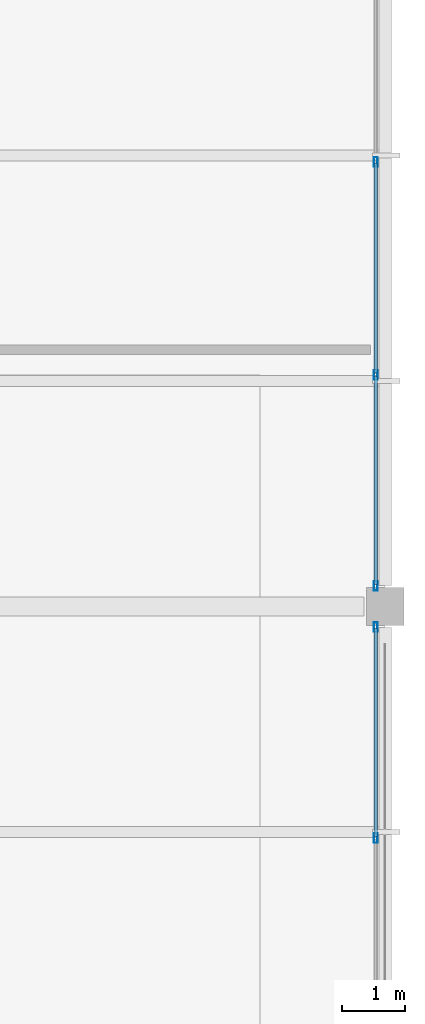
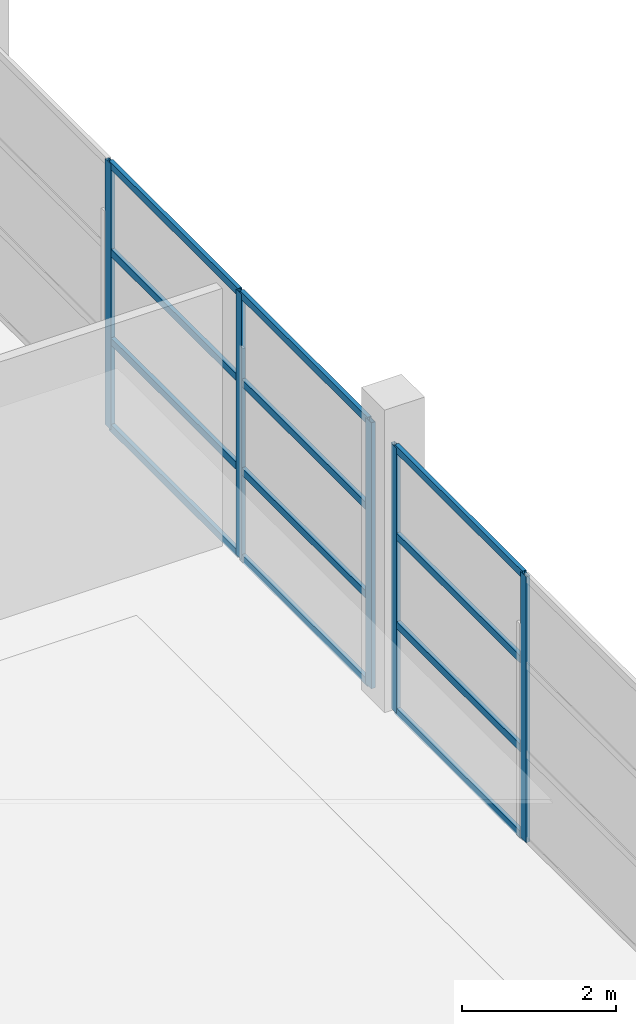
# One storey, part 107 of 134: 17 members, 2 elements without a shape of their own.
"""IFC4 building model written with IfcOpenShell, lengths in metres."""

from ifc_helpers import new_model, si_unit, direction, frame, origin, origin_2d, place, context, subcontext, project, spatial, hollow_rectangle, extrude, material, layer, layer_set, material_profile, profile_set, type_object, element, aggregate, save


model = new_model("IFC4")

# Units and contexts
model_context = context("Model", 3, precision=1e-05, world=origin(), true_north=direction((0.0, 1.0)))
body_context = subcontext(model_context, "Body", "Model", "MODEL_VIEW")
ifc_project = project(units=[si_unit("LENGTHUNIT", "METRE"), si_unit("AREAUNIT", "SQUARE_METRE"), si_unit("VOLUMEUNIT", "CUBIC_METRE"), si_unit("PLANEANGLEUNIT", "RADIAN"), si_unit("MASSUNIT", "GRAM", prefix="KILO")], contexts=[model_context])

# Site, building, storey
site_placement = place(None, origin())
site = spatial("IfcSite", under=ifc_project, at=site_placement, CompositionType="ELEMENT")
building_placement = place(site_placement, origin())
building = spatial("IfcBuilding", under=site, at=building_placement, Name="Tamarisk Ironworks Central Station", CompositionType="ELEMENT")
storey_placement = place(building_placement, frame((0.0, 0.0, 12.60009765625)))
storey = spatial("IfcBuildingStorey", under=building, at=storey_placement, Name="L02", CompositionType="ELEMENT", Elevation=12.60009765625)

# Curtain wall, members
ifc_material = material(Name="Anodized aluminium alloy 6063-T6", Category="aluminium")
ifc_layer = layer(ifc_material, 0.179931640625)
ifc_layer_set = layer_set([ifc_layer], Name="Anodized aluminium alloy 6063-T6")
curtain_wall_type = type_object("IfcCurtainWallType", Name="CW-17", PredefinedType="USERDEFINED", material=ifc_layer_set)
curtain_wall_1_placement = place(storey_placement, origin())
curtain_wall_1 = element("IfcCurtainWall", 1, at=curtain_wall_1_placement, inside=storey, type_object=curtain_wall_type, Name="Operations L02 east facade curtain wall 090", ObjectType="GLAZED CURTAIN WALL", PredefinedType="USERDEFINED")
ifc_material_profile_1 = material_profile(ifc_material, hollow_rectangle(XDim=0.06005859375, YDim=0.14990234375, WallThickness=0.00341796875, at=origin_2d()), Name="ALUM 150x60")
ifc_profile_set_1 = profile_set([ifc_material_profile_1], Name="Anodized aluminium alloy 6063-T6")
member_type_1 = type_object("IfcMemberType", Name="CWM-03", PredefinedType="MULLION", material=ifc_profile_set_1)
member_1_placement = place(storey_placement, frame((179.85009765625, 97.1005859375, 0.0), z_axis=(0.0, 0.0, 1.0), x_axis=(-1.0, 0.0, 0.0)))
member_1 = element("IfcMember", 2, at=member_1_placement, type_object=member_type_1, Name="CW17 mullion 3", PredefinedType="MULLION", context=body_context, shape_type="SweptSolid", body=[
    extrude(hollow_rectangle(XDim=0.06005859375, YDim=0.14990234375, WallThickness=0.00341796875, at=origin_2d()), origin(), (0.0, 0.0, 1.0), 4.219970703125),
])
member_2_placement = place(storey_placement, frame((179.85009765625, 100.471923828125, 0.0), z_axis=(0.0, 0.0, 1.0), x_axis=(-1.0, 0.0, 0.0)))
member_2 = element("IfcMember", 3, at=member_2_placement, type_object=member_type_1, Name="CW17 mullion 4", PredefinedType="MULLION", context=body_context, shape_type="SweptSolid", body=[
    extrude(hollow_rectangle(XDim=0.06005859375, YDim=0.14990234375, WallThickness=0.00341796875, at=origin_2d()), origin(), (0.0, 0.0, 1.0), 4.219970703125),
])

curtain_wall_2_placement = place(storey_placement, origin())
curtain_wall_2 = element("IfcCurtainWall", 4, at=curtain_wall_2_placement, inside=storey, type_object=curtain_wall_type, Name="Operations L02 east facade curtain wall 100", ObjectType="GLAZED CURTAIN WALL", PredefinedType="USERDEFINED")
member_3_placement = place(storey_placement, frame((179.85009765625, 101.1279296875, 0.0), z_axis=(0.0, 0.0, 1.0), x_axis=(-1.0, 0.0, 0.0)))
member_3 = element("IfcMember", 5, at=member_3_placement, type_object=member_type_1, Name="CW17 mullion 1", PredefinedType="MULLION", context=body_context, shape_type="SweptSolid", body=[
    extrude(hollow_rectangle(XDim=0.06005859375, YDim=0.14990234375, WallThickness=0.00341796875, at=origin_2d()), origin(), (0.0, 0.0, 1.0), 4.219970703125),
])
member_4_placement = place(storey_placement, frame((179.85009765625, 104.499267578125, 0.0), z_axis=(0.0, 0.0, 1.0), x_axis=(-1.0, 0.0, 0.0)))
member_4 = element("IfcMember", 6, at=member_4_placement, type_object=member_type_1, Name="CW17 mullion 2", PredefinedType="MULLION", context=body_context, shape_type="SweptSolid", body=[
    extrude(hollow_rectangle(XDim=0.06005859375, YDim=0.14990234375, WallThickness=0.00341796875, at=origin_2d()), origin(), (0.0, 0.0, 1.0), 4.219970703125),
])
member_5_placement = place(storey_placement, frame((179.85009765625, 107.900634765625, 0.0), z_axis=(0.0, 0.0, 1.0), x_axis=(-1.0, 0.0, 0.0)))
member_5 = element("IfcMember", 7, at=member_5_placement, type_object=member_type_1, Name="CW17 mullion 3", PredefinedType="MULLION", context=body_context, shape_type="SweptSolid", body=[
    extrude(hollow_rectangle(XDim=0.06005859375, YDim=0.14990234375, WallThickness=0.00341796875, at=origin_2d()), origin(), (0.0, 0.0, 1.0), 4.219970703125),
])

# Member
ifc_material_profile_2 = material_profile(ifc_material, hollow_rectangle(XDim=0.06005859375, YDim=0.114990234375, WallThickness=0.00341796875, at=origin_2d()), Name="ALUM 115x60")
ifc_profile_set_2 = profile_set([ifc_material_profile_2], Name="Anodized aluminium alloy 6063-T6")
member_type_2 = type_object("IfcMemberType", Name="CWT-03", PredefinedType="USERDEFINED", material=ifc_profile_set_2)
member_6_placement = place(storey_placement, frame((179.85009765625, 97.126708984375, 0.02978515625), z_axis=(0.0, 1.0, 0.0), x_axis=(-1.0, 0.0, 0.0)))
member_6 = element("IfcMember", 8, at=member_6_placement, type_object=member_type_2, Name="CW17 transom 3.1", ObjectType="TRANSOM", PredefinedType="USERDEFINED", context=body_context, shape_type="SweptSolid", body=[
    extrude(hollow_rectangle(XDim=0.06005859375, YDim=0.114990234375, WallThickness=0.00341796875, at=origin_2d()), origin(), (0.0, 0.0, 1.0), 3.3193359375),
])

member_7_placement = place(storey_placement, frame((179.85009765625, 97.126708984375, 1.406494140625), z_axis=(0.0, 1.0, 0.0), x_axis=(-1.0, 0.0, 0.0)))
member_7 = element("IfcMember", 9, at=member_7_placement, type_object=member_type_2, Name="CW17 transom 3.2", ObjectType="TRANSOM", PredefinedType="USERDEFINED", context=body_context, shape_type="SweptSolid", body=[
    extrude(hollow_rectangle(XDim=0.06005859375, YDim=0.114990234375, WallThickness=0.00341796875, at=origin_2d()), origin(), (0.0, 0.0, 1.0), 3.3193359375),
])

member_8_placement = place(storey_placement, frame((179.85009765625, 97.126708984375, 2.813232421875), z_axis=(0.0, 1.0, 0.0), x_axis=(-1.0, 0.0, 0.0)))
member_8 = element("IfcMember", 10, at=member_8_placement, type_object=member_type_2, Name="CW17 transom 3.3", ObjectType="TRANSOM", PredefinedType="USERDEFINED", context=body_context, shape_type="SweptSolid", body=[
    extrude(hollow_rectangle(XDim=0.06005859375, YDim=0.114990234375, WallThickness=0.00341796875, at=origin_2d()), origin(), (0.0, 0.0, 1.0), 3.3193359375),
])

member_9_placement = place(storey_placement, frame((179.85009765625, 97.126708984375, 4.18994140625), z_axis=(0.0, 1.0, 0.0), x_axis=(-1.0, 0.0, 0.0)))
member_9 = element("IfcMember", 11, at=member_9_placement, type_object=member_type_2, Name="CW17 transom 3.4", ObjectType="TRANSOM", PredefinedType="USERDEFINED", context=body_context, shape_type="SweptSolid", body=[
    extrude(hollow_rectangle(XDim=0.06005859375, YDim=0.114990234375, WallThickness=0.00341796875, at=origin_2d()), origin(), (0.0, 0.0, 1.0), 3.3193359375),
])

aggregate(curtain_wall_1, [member_1, member_2, member_6, member_7, member_8, member_9])

member_10_placement = place(storey_placement, frame((179.85009765625, 101.154052734375, 0.02978515625), z_axis=(0.0, 1.0, 0.0), x_axis=(-1.0, 0.0, 0.0)))
member_10 = element("IfcMember", 12, at=member_10_placement, type_object=member_type_2, Name="CW17 transom 1.1", ObjectType="TRANSOM", PredefinedType="USERDEFINED", context=body_context, shape_type="SweptSolid", body=[
    extrude(hollow_rectangle(XDim=0.06005859375, YDim=0.114990234375, WallThickness=0.00341796875, at=origin_2d()), origin(), (0.0, 0.0, 1.0), 3.3193359375),
])

member_11_placement = place(storey_placement, frame((179.85009765625, 101.154052734375, 1.406494140625), z_axis=(0.0, 1.0, 0.0), x_axis=(-1.0, 0.0, 0.0)))
member_11 = element("IfcMember", 13, at=member_11_placement, type_object=member_type_2, Name="CW17 transom 1.2", ObjectType="TRANSOM", PredefinedType="USERDEFINED", context=body_context, shape_type="SweptSolid", body=[
    extrude(hollow_rectangle(XDim=0.06005859375, YDim=0.114990234375, WallThickness=0.00341796875, at=origin_2d()), origin(), (0.0, 0.0, 1.0), 3.3193359375),
])

member_12_placement = place(storey_placement, frame((179.85009765625, 101.154052734375, 2.813232421875), z_axis=(0.0, 1.0, 0.0), x_axis=(-1.0, 0.0, 0.0)))
member_12 = element("IfcMember", 14, at=member_12_placement, type_object=member_type_2, Name="CW17 transom 1.3", ObjectType="TRANSOM", PredefinedType="USERDEFINED", context=body_context, shape_type="SweptSolid", body=[
    extrude(hollow_rectangle(XDim=0.06005859375, YDim=0.114990234375, WallThickness=0.00341796875, at=origin_2d()), origin(), (0.0, 0.0, 1.0), 3.3193359375),
])

member_13_placement = place(storey_placement, frame((179.85009765625, 101.154052734375, 4.18994140625), z_axis=(0.0, 1.0, 0.0), x_axis=(-1.0, 0.0, 0.0)))
member_13 = element("IfcMember", 15, at=member_13_placement, type_object=member_type_2, Name="CW17 transom 1.4", ObjectType="TRANSOM", PredefinedType="USERDEFINED", context=body_context, shape_type="SweptSolid", body=[
    extrude(hollow_rectangle(XDim=0.06005859375, YDim=0.114990234375, WallThickness=0.00341796875, at=origin_2d()), origin(), (0.0, 0.0, 1.0), 3.3193359375),
])

member_14_placement = place(storey_placement, frame((179.85009765625, 104.525390625, 0.02978515625), z_axis=(0.0, 1.0, 0.0), x_axis=(-1.0, 0.0, 0.0)))
member_14 = element("IfcMember", 16, at=member_14_placement, type_object=member_type_2, Name="CW17 transom 2.1", ObjectType="TRANSOM", PredefinedType="USERDEFINED", context=body_context, shape_type="SweptSolid", body=[
    extrude(hollow_rectangle(XDim=0.06005859375, YDim=0.114990234375, WallThickness=0.00341796875, at=origin_2d()), origin(), (0.0, 0.0, 1.0), 3.349365234375),
])

member_15_placement = place(storey_placement, frame((179.85009765625, 104.525390625, 1.406494140625), z_axis=(0.0, 1.0, 0.0), x_axis=(-1.0, 0.0, 0.0)))
member_15 = element("IfcMember", 17, at=member_15_placement, type_object=member_type_2, Name="CW17 transom 2.2", ObjectType="TRANSOM", PredefinedType="USERDEFINED", context=body_context, shape_type="SweptSolid", body=[
    extrude(hollow_rectangle(XDim=0.06005859375, YDim=0.114990234375, WallThickness=0.00341796875, at=origin_2d()), origin(), (0.0, 0.0, 1.0), 3.349365234375),
])

member_16_placement = place(storey_placement, frame((179.85009765625, 104.525390625, 2.813232421875), z_axis=(0.0, 1.0, 0.0), x_axis=(-1.0, 0.0, 0.0)))
member_16 = element("IfcMember", 18, at=member_16_placement, type_object=member_type_2, Name="CW17 transom 2.3", ObjectType="TRANSOM", PredefinedType="USERDEFINED", context=body_context, shape_type="SweptSolid", body=[
    extrude(hollow_rectangle(XDim=0.06005859375, YDim=0.114990234375, WallThickness=0.00341796875, at=origin_2d()), origin(), (0.0, 0.0, 1.0), 3.349365234375),
])

member_17_placement = place(storey_placement, frame((179.85009765625, 104.525390625, 4.18994140625), z_axis=(0.0, 1.0, 0.0), x_axis=(-1.0, 0.0, 0.0)))
member_17 = element("IfcMember", 19, at=member_17_placement, type_object=member_type_2, Name="CW17 transom 2.4", ObjectType="TRANSOM", PredefinedType="USERDEFINED", context=body_context, shape_type="SweptSolid", body=[
    extrude(hollow_rectangle(XDim=0.06005859375, YDim=0.114990234375, WallThickness=0.00341796875, at=origin_2d()), origin(), (0.0, 0.0, 1.0), 3.349365234375),
])

aggregate(curtain_wall_2, [member_3, member_4, member_5, member_10, member_11, member_12, member_13, member_14, member_15, member_16, member_17])

save(model, "model.ifc")
